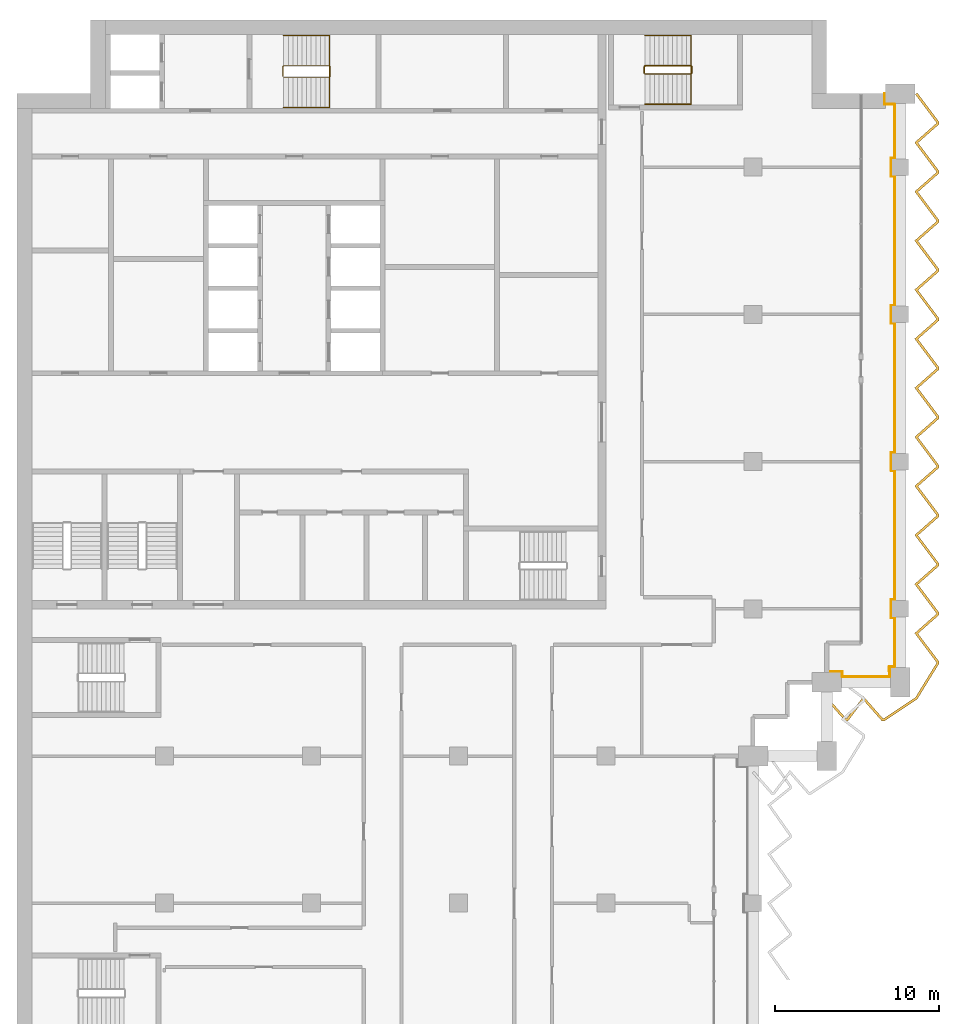
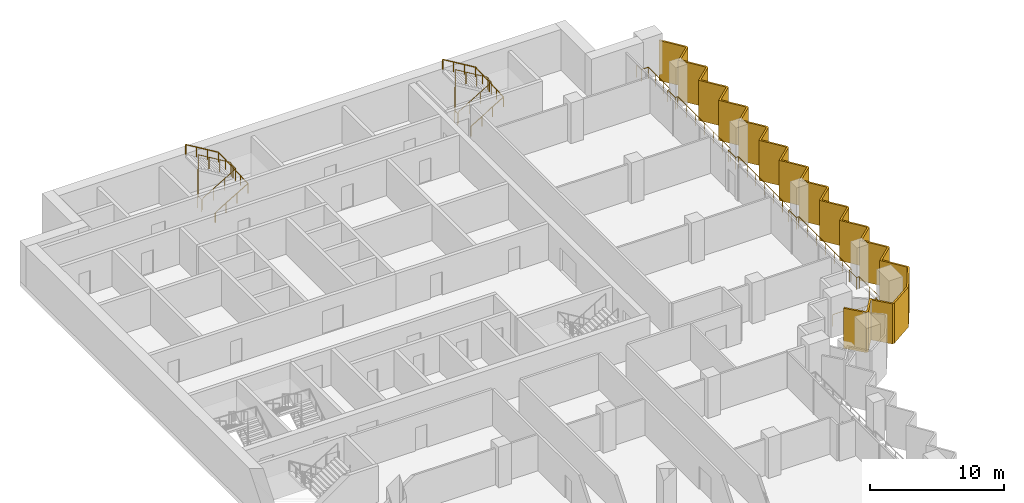
# One storey, part 17 of 17: 5 railings, 1 shading device.
"""IFC4 building model written with IfcOpenShell, lengths in metres."""

from ifc_helpers import new_model, si_unit, direction, frame, origin, origin_2d, place, context, subcontext, project, spatial, polyline, circle, outline, extrude, material, layer, layer_set, type_object, element, save


model = new_model("IFC4")

# Units and contexts
model_context = context("Model", 3, precision=1e-05, world=origin(), true_north=direction((0.0, 1.0)))
body_context = subcontext(model_context, "Body", "Model", "MODEL_VIEW")
ifc_project = project(units=[si_unit("LENGTHUNIT", "METRE"), si_unit("AREAUNIT", "SQUARE_METRE"), si_unit("VOLUMEUNIT", "CUBIC_METRE"), si_unit("PLANEANGLEUNIT", "RADIAN"), si_unit("MASSUNIT", "GRAM", prefix="KILO")], contexts=[model_context])

# Site, building, storey
site_placement = place(None, origin())
site = spatial("IfcSite", under=ifc_project, at=site_placement, CompositionType="ELEMENT")
building_placement = place(site_placement, origin())
building = spatial("IfcBuilding", under=site, at=building_placement, Name="Hunhe Ridgeline Campus", CompositionType="ELEMENT")
storey_placement = place(building_placement, frame((0.0, 0.0, 208.699951171875)))
storey = spatial("IfcBuildingStorey", under=building, at=storey_placement, Name="L53", CompositionType="ELEMENT", Elevation=208.699951171875)

# Railing
ifc_material_1 = material(Name="Steel Q355", Category="steel")
railing_type_1 = type_object("IfcRailingType", Name="Loggia guard 1100 Steel Q355", PredefinedType="GUARDRAIL", material=ifc_material_1)
railing_1_placement = place(storey_placement, frame((49.5, 59.169921875, 0.0)))
element("IfcRailing", 1, at=railing_1_placement, inside=storey, type_object=railing_type_1, Name="Loggia guard 2", PredefinedType="GUARDRAIL", context=body_context, shape_type="SweptSolid", body=[
    extrude(circle(Radius=0.02392578125, at=origin_2d()), frame((0.0, 0.0, 1.076171875), z_axis=(1.0, 0.0, 0.0), x_axis=(0.0, 1.0, 0.0)), (0.0, 0.0, 1.0), 0.949951171875),
    extrude(circle(Radius=0.02392578125, at=origin_2d()), frame((0.949951171875, 0.0, 1.076171875), z_axis=(0.0, -1.0, 0.0), x_axis=(1.0, 0.0, 0.0)), (0.0, 0.0, 1.0), 0.31982421875),
    extrude(circle(Radius=0.02392578125, at=origin_2d()), frame((0.949951171875, -0.31982421875, 1.076171875), z_axis=(1.0, 0.0, 0.0), x_axis=(0.0, 1.0, 0.0)), (0.0, 0.0, 1.0), 2.900146484375),
    extrude(circle(Radius=0.02392578125, at=origin_2d()), frame((3.85009765625, -0.31982421875, 1.076171875), z_axis=(0.0, 1.0, 0.0), x_axis=(-1.0, 0.0, 0.0)), (0.0, 0.0, 1.0), 0.619873046875),
    extrude(circle(Radius=0.02392578125, at=origin_2d()), frame((3.85009765625, 0.300048828125, 1.076171875), z_axis=(-0.066572895244, -0.99778156408, 0.0), x_axis=(0.99778156408, -0.066572895244, 0.0)), (0.0, 0.0, 1.0), 0.30078125),
    extrude(circle(Radius=0.02392578125, at=origin_2d()), frame((3.830078125, 0.0, 1.076171875), z_axis=(0.0, 1.0, 0.0), x_axis=(-1.0, 0.0, 0.0)), (0.0, 0.0, 1.0), 0.280029296875),
    extrude(circle(Radius=0.02392578125, at=origin_2d()), frame((3.830078125, 0.280029296875, 1.076171875), z_axis=(1.0, 0.0, 0.0), x_axis=(0.0, 1.0, 0.0)), (0.0, 0.0, 1.0), 0.31982421875),
    extrude(circle(Radius=0.02392578125, at=origin_2d()), frame((4.14990234375, 0.280029296875, 1.076171875), z_axis=(0.0, 1.0, 0.0), x_axis=(-1.0, 0.0, 0.0)), (0.0, 0.0, 1.0), 3.0),
    extrude(circle(Radius=0.02392578125, at=origin_2d()), frame((4.14990234375, 3.280029296875, 1.076171875), z_axis=(-1.0, 0.0, 0.0), x_axis=(0.0, -1.0, 0.0)), (0.0, 0.0, 1.0), 0.219970703125),
    extrude(circle(Radius=0.02392578125, at=origin_2d()), frame((3.929931640625, 3.280029296875, 1.076171875), z_axis=(0.0, 1.0, 0.0), x_axis=(-1.0, 0.0, 0.0)), (0.0, 0.0, 1.0), 1.10009765625),
    extrude(circle(Radius=0.02392578125, at=origin_2d()), frame((3.929931640625, 4.380126953125, 1.076171875), z_axis=(1.0, 0.0, 0.0), x_axis=(0.0, 1.0, 0.0)), (0.0, 0.0, 1.0), 0.219970703125),
    extrude(circle(Radius=0.02392578125, at=origin_2d()), frame((4.14990234375, 4.380126953125, 1.076171875), z_axis=(0.0, 1.0, 0.0), x_axis=(-1.0, 0.0, 0.0)), (0.0, 0.0, 1.0), 7.89990234375),
    extrude(circle(Radius=0.02392578125, at=origin_2d()), frame((4.14990234375, 12.280029296875, 1.076171875), z_axis=(-1.0, 0.0, 0.0), x_axis=(0.0, -1.0, 0.0)), (0.0, 0.0, 1.0), 0.219970703125),
    extrude(circle(Radius=0.02392578125, at=origin_2d()), frame((3.929931640625, 12.280029296875, 1.076171875), z_axis=(0.0, 1.0, 0.0), x_axis=(-1.0, 0.0, 0.0)), (0.0, 0.0, 1.0), 1.10009765625),
    extrude(circle(Radius=0.02392578125, at=origin_2d()), frame((3.929931640625, 13.380126953125, 1.076171875), z_axis=(1.0, 0.0, 0.0), x_axis=(0.0, 1.0, 0.0)), (0.0, 0.0, 1.0), 0.219970703125),
    extrude(circle(Radius=0.02392578125, at=origin_2d()), frame((4.14990234375, 13.380126953125, 1.076171875), z_axis=(0.0, 1.0, 0.0), x_axis=(-1.0, 0.0, 0.0)), (0.0, 0.0, 1.0), 7.89990234375),
    extrude(circle(Radius=0.02392578125, at=origin_2d()), frame((4.14990234375, 21.280029296875, 1.076171875), z_axis=(-1.0, 0.0, 0.0), x_axis=(0.0, -1.0, 0.0)), (0.0, 0.0, 1.0), 0.219970703125),
    extrude(circle(Radius=0.02392578125, at=origin_2d()), frame((3.929931640625, 21.280029296875, 1.076171875), z_axis=(0.0, 1.0, 0.0), x_axis=(-1.0, 0.0, 0.0)), (0.0, 0.0, 1.0), 1.10009765625),
    extrude(circle(Radius=0.02392578125, at=origin_2d()), frame((3.929931640625, 22.380126953125, 1.076171875), z_axis=(1.0, 0.0, 0.0), x_axis=(0.0, 1.0, 0.0)), (0.0, 0.0, 1.0), 0.219970703125),
    extrude(circle(Radius=0.02392578125, at=origin_2d()), frame((4.14990234375, 22.380126953125, 1.076171875), z_axis=(0.0, 1.0, 0.0), x_axis=(-1.0, 0.0, 0.0)), (0.0, 0.0, 1.0), 7.89990234375),
    extrude(circle(Radius=0.02392578125, at=origin_2d()), frame((4.14990234375, 30.280029296875, 1.076171875), z_axis=(-1.0, 0.0, 0.0), x_axis=(0.0, -1.0, 0.0)), (0.0, 0.0, 1.0), 0.219970703125),
    extrude(circle(Radius=0.02392578125, at=origin_2d()), frame((3.929931640625, 30.280029296875, 1.076171875), z_axis=(0.0, 1.0, 0.0), x_axis=(-1.0, 0.0, 0.0)), (0.0, 0.0, 1.0), 1.10009765625),
    extrude(circle(Radius=0.02392578125, at=origin_2d()), frame((3.929931640625, 31.380126953125, 1.076171875), z_axis=(1.0, 0.0, 0.0), x_axis=(0.0, 1.0, 0.0)), (0.0, 0.0, 1.0), 0.219970703125),
    extrude(circle(Radius=0.02392578125, at=origin_2d()), frame((4.14990234375, 31.380126953125, 1.076171875), z_axis=(0.0, 1.0, 0.0), x_axis=(-1.0, 0.0, 0.0)), (0.0, 0.0, 1.0), 3.300048828125),
    extrude(circle(Radius=0.02392578125, at=origin_2d()), frame((4.14990234375, 34.68017578125, 1.076171875), z_axis=(-1.0, 0.0, 0.0), x_axis=(0.0, -1.0, 0.0)), (0.0, 0.0, 1.0), 0.619873046875),
    extrude(circle(Radius=0.02392578125, at=origin_2d()), frame((3.530029296875, 34.68017578125, 1.076171875), z_axis=(0.0, 1.0, 0.0), x_axis=(-1.0, 0.0, 0.0)), (0.0, 0.0, 1.0), 0.64990234375),
    extrude(circle(Radius=0.02099609375, at=origin_2d()), origin(), (0.0, 0.0, 1.0), 1.052001953125),
    extrude(circle(Radius=0.02099609375, at=origin_2d()), frame((0.949951171875, 0.0, 0.0)), (0.0, 0.0, 1.0), 1.052001953125),
    extrude(circle(Radius=0.02099609375, at=origin_2d()), frame((0.949951171875, -0.31982421875, 0.0)), (0.0, 0.0, 1.0), 1.052001953125),
    extrude(circle(Radius=0.02099609375, at=origin_2d()), frame((2.39990234375, -0.31982421875, 0.0)), (0.0, 0.0, 1.0), 1.052001953125),
    extrude(circle(Radius=0.02099609375, at=origin_2d()), frame((3.85009765625, -0.31982421875, 0.0)), (0.0, 0.0, 1.0), 1.052001953125),
    extrude(circle(Radius=0.02099609375, at=origin_2d()), frame((3.85009765625, 0.300048828125, 0.0)), (0.0, 0.0, 1.0), 1.052001953125),
    extrude(circle(Radius=0.02099609375, at=origin_2d()), frame((3.830078125, 0.0, 0.0)), (0.0, 0.0, 1.0), 1.052001953125),
    extrude(circle(Radius=0.02099609375, at=origin_2d()), frame((3.830078125, 0.280029296875, 0.0)), (0.0, 0.0, 1.0), 1.052001953125),
    extrude(circle(Radius=0.02099609375, at=origin_2d()), frame((4.14990234375, 0.280029296875, 0.0)), (0.0, 0.0, 1.0), 1.052001953125),
    extrude(circle(Radius=0.02099609375, at=origin_2d()), frame((4.14990234375, 1.780029296875, 0.0)), (0.0, 0.0, 1.0), 1.052001953125),
    extrude(circle(Radius=0.02099609375, at=origin_2d()), frame((4.14990234375, 3.280029296875, 0.0)), (0.0, 0.0, 1.0), 1.052001953125),
    extrude(circle(Radius=0.02099609375, at=origin_2d()), frame((3.929931640625, 3.280029296875, 0.0)), (0.0, 0.0, 1.0), 1.052001953125),
    extrude(circle(Radius=0.02099609375, at=origin_2d()), frame((3.929931640625, 4.380126953125, 0.0)), (0.0, 0.0, 1.0), 1.052001953125),
    extrude(circle(Radius=0.02099609375, at=origin_2d()), frame((4.14990234375, 4.380126953125, 0.0)), (0.0, 0.0, 1.0), 1.052001953125),
    extrude(circle(Radius=0.02099609375, at=origin_2d()), frame((4.14990234375, 5.69677734375, 0.0)), (0.0, 0.0, 1.0), 1.052001953125),
    extrude(circle(Radius=0.02099609375, at=origin_2d()), frame((4.14990234375, 7.013427734375, 0.0)), (0.0, 0.0, 1.0), 1.052001953125),
    extrude(circle(Radius=0.02099609375, at=origin_2d()), frame((4.14990234375, 8.330078125, 0.0)), (0.0, 0.0, 1.0), 1.052001953125),
    extrude(circle(Radius=0.02099609375, at=origin_2d()), frame((4.14990234375, 9.646728515625, 0.0)), (0.0, 0.0, 1.0), 1.052001953125),
    extrude(circle(Radius=0.02099609375, at=origin_2d()), frame((4.14990234375, 10.96337890625, 0.0)), (0.0, 0.0, 1.0), 1.052001953125),
    extrude(circle(Radius=0.02099609375, at=origin_2d()), frame((4.14990234375, 12.280029296875, 0.0)), (0.0, 0.0, 1.0), 1.052001953125),
    extrude(circle(Radius=0.02099609375, at=origin_2d()), frame((3.929931640625, 12.280029296875, 0.0)), (0.0, 0.0, 1.0), 1.052001953125),
    extrude(circle(Radius=0.02099609375, at=origin_2d()), frame((3.929931640625, 13.380126953125, 0.0)), (0.0, 0.0, 1.0), 1.052001953125),
    extrude(circle(Radius=0.02099609375, at=origin_2d()), frame((4.14990234375, 13.380126953125, 0.0)), (0.0, 0.0, 1.0), 1.052001953125),
    extrude(circle(Radius=0.02099609375, at=origin_2d()), frame((4.14990234375, 14.69677734375, 0.0)), (0.0, 0.0, 1.0), 1.052001953125),
    extrude(circle(Radius=0.02099609375, at=origin_2d()), frame((4.14990234375, 16.013427734375, 0.0)), (0.0, 0.0, 1.0), 1.052001953125),
    extrude(circle(Radius=0.02099609375, at=origin_2d()), frame((4.14990234375, 17.330078125, 0.0)), (0.0, 0.0, 1.0), 1.052001953125),
    extrude(circle(Radius=0.02099609375, at=origin_2d()), frame((4.14990234375, 18.646728515625, 0.0)), (0.0, 0.0, 1.0), 1.052001953125),
    extrude(circle(Radius=0.02099609375, at=origin_2d()), frame((4.14990234375, 19.96337890625, 0.0)), (0.0, 0.0, 1.0), 1.052001953125),
    extrude(circle(Radius=0.02099609375, at=origin_2d()), frame((4.14990234375, 21.280029296875, 0.0)), (0.0, 0.0, 1.0), 1.052001953125),
    extrude(circle(Radius=0.02099609375, at=origin_2d()), frame((3.929931640625, 21.280029296875, 0.0)), (0.0, 0.0, 1.0), 1.052001953125),
    extrude(circle(Radius=0.02099609375, at=origin_2d()), frame((3.929931640625, 22.380126953125, 0.0)), (0.0, 0.0, 1.0), 1.052001953125),
    extrude(circle(Radius=0.02099609375, at=origin_2d()), frame((4.14990234375, 22.380126953125, 0.0)), (0.0, 0.0, 1.0), 1.052001953125),
    extrude(circle(Radius=0.02099609375, at=origin_2d()), frame((4.14990234375, 23.69677734375, 0.0)), (0.0, 0.0, 1.0), 1.052001953125),
    extrude(circle(Radius=0.02099609375, at=origin_2d()), frame((4.14990234375, 25.013427734375, 0.0)), (0.0, 0.0, 1.0), 1.052001953125),
    extrude(circle(Radius=0.02099609375, at=origin_2d()), frame((4.14990234375, 26.330078125, 0.0)), (0.0, 0.0, 1.0), 1.052001953125),
    extrude(circle(Radius=0.02099609375, at=origin_2d()), frame((4.14990234375, 27.646728515625, 0.0)), (0.0, 0.0, 1.0), 1.052001953125),
    extrude(circle(Radius=0.02099609375, at=origin_2d()), frame((4.14990234375, 28.96337890625, 0.0)), (0.0, 0.0, 1.0), 1.052001953125),
    extrude(circle(Radius=0.02099609375, at=origin_2d()), frame((4.14990234375, 30.280029296875, 0.0)), (0.0, 0.0, 1.0), 1.052001953125),
    extrude(circle(Radius=0.02099609375, at=origin_2d()), frame((3.929931640625, 30.280029296875, 0.0)), (0.0, 0.0, 1.0), 1.052001953125),
    extrude(circle(Radius=0.02099609375, at=origin_2d()), frame((3.929931640625, 31.380126953125, 0.0)), (0.0, 0.0, 1.0), 1.052001953125),
    extrude(circle(Radius=0.02099609375, at=origin_2d()), frame((4.14990234375, 31.380126953125, 0.0)), (0.0, 0.0, 1.0), 1.052001953125),
    extrude(circle(Radius=0.02099609375, at=origin_2d()), frame((4.14990234375, 32.480224609375, 0.0)), (0.0, 0.0, 1.0), 1.052001953125),
    extrude(circle(Radius=0.02099609375, at=origin_2d()), frame((4.14990234375, 33.580078125, 0.0)), (0.0, 0.0, 1.0), 1.052001953125),
    extrude(circle(Radius=0.02099609375, at=origin_2d()), frame((4.14990234375, 34.68017578125, 0.0)), (0.0, 0.0, 1.0), 1.052001953125),
    extrude(circle(Radius=0.02099609375, at=origin_2d()), frame((3.530029296875, 34.68017578125, 0.0)), (0.0, 0.0, 1.0), 1.052001953125),
    extrude(circle(Radius=0.02099609375, at=origin_2d()), frame((3.530029296875, 35.330078125, 0.0)), (0.0, 0.0, 1.0), 1.052001953125),
])

# Shading device
ifc_material_2 = material(Name="Concrete C50", Category="concrete")
ifc_layer = layer(ifc_material_2, 0.14990234375)
ifc_layer_set = layer_set([ifc_layer], Name="Sawtooth concrete fin 150 Concrete C50")
shading_device_type = type_object("IfcShadingDeviceType", Name="Sawtooth concrete fin 150 Concrete C50", PredefinedType="USERDEFINED", material=ifc_layer_set)
shading_device_placement = place(storey_placement, frame((0.0, 0.0, -0.949951171875)))
element("IfcShadingDevice", 2, at=shading_device_placement, inside=storey, type_object=shading_device_type, Name="Concrete fin screen 3", ObjectType="FIN", PredefinedType="USERDEFINED", context=body_context, shape_type="SweptSolid", body=[
    extrude(outline(polyline([(49.55615234375, 57.57470703125), (49.44384765625, 57.475341796875), (50.61328125, 56.14990234375), (50.804443359375, 56.14990234375), (51.75439453125, 57.406494140625), (52.86328125, 56.14990234375), (53.039794921875, 56.14990234375), (55.0302734375, 57.4716796875), (56.35009765625, 59.6259765625), (56.35009765625, 59.792236328125), (55.07666015625, 61.489501953125), (56.35009765625, 62.61328125), (56.35009765625, 62.792236328125), (55.07666015625, 64.489501953125), (56.35009765625, 65.61328125), (56.35009765625, 65.792236328125), (55.07666015625, 67.489501953125), (56.35009765625, 68.61328125), (56.35009765625, 68.792236328125), (55.07666015625, 70.489501953125), (56.35009765625, 71.61328125), (56.35009765625, 71.792236328125), (55.07666015625, 73.489501953125), (56.35009765625, 74.61328125), (56.35009765625, 74.792236328125), (55.07666015625, 76.489501953125), (56.35009765625, 77.61328125), (56.35009765625, 77.792236328125), (55.07666015625, 79.489501953125), (56.35009765625, 80.61328125), (56.35009765625, 80.792236328125), (55.07666015625, 82.489501953125), (56.35009765625, 83.61328125), (56.35009765625, 83.792236328125), (55.07666015625, 85.489501953125), (56.35009765625, 86.61328125), (56.35009765625, 86.792236328125), (55.07666015625, 88.489501953125), (56.35009765625, 89.61328125), (56.35009765625, 89.792236328125), (55.07666015625, 91.489501953125), (56.35009765625, 92.61328125), (56.35009765625, 92.792236328125), (55.034912109375, 94.544921875), (54.9150390625, 94.455078125), (56.199951171875, 92.7421875), (56.199951171875, 92.680908203125), (54.87353515625, 91.510498046875), (56.199951171875, 89.7421875), (56.199951171875, 89.680908203125), (54.87353515625, 88.510498046875), (56.199951171875, 86.7421875), (56.199951171875, 86.680908203125), (54.87353515625, 85.510498046875), (56.199951171875, 83.7421875), (56.199951171875, 83.680908203125), (54.87353515625, 82.510498046875), (56.199951171875, 80.7421875), (56.199951171875, 80.680908203125), (54.87353515625, 79.510498046875), (56.199951171875, 77.7421875), (56.199951171875, 77.680908203125), (54.87353515625, 76.510498046875), (56.199951171875, 74.7421875), (56.199951171875, 74.680908203125), (54.87353515625, 73.510498046875), (56.199951171875, 71.7421875), (56.199951171875, 71.680908203125), (54.87353515625, 70.510498046875), (56.199951171875, 68.7421875), (56.199951171875, 68.680908203125), (54.87353515625, 67.510498046875), (56.199951171875, 65.7421875), (56.199951171875, 65.680908203125), (54.87353515625, 64.510498046875), (56.199951171875, 62.7421875), (56.199951171875, 62.680908203125), (54.87353515625, 61.510498046875), (56.199951171875, 59.7421875), (56.199951171875, 59.668212890625), (54.919677734375, 57.578369140625), (52.994384765625, 56.300048828125), (52.930908203125, 56.300048828125), (51.74560546875, 57.6435546875), (50.729736328125, 56.300048828125), (50.680908203125, 56.300048828125), (49.55615234375, 57.57470703125)])), origin(), (0.0, 0.0, 1.0), 3.64990234375),
])

# Railings
ifc_material_3 = material(Name="Stainless steel balustrade", Category="steel")
railing_type_2 = type_object("IfcRailingType", Name="Stair guard 1100 stainless", PredefinedType="GUARDRAIL", material=ifc_material_3)
railing_2_placement = place(storey_placement, frame((16.300048828125, 95.5, 0.168212890625)))
element("IfcRailing", 3, at=railing_2_placement, inside=storey, type_object=railing_type_2, Name="L53 stair S1 guard", PredefinedType="GUARDRAIL", context=body_context, shape_type="SweptSolid", body=[
    extrude(circle(Radius=0.02392578125, at=origin_2d()), frame((0.0, 0.0, 1.076171875), z_axis=(0.857242210791, 0.0, 0.514913383045), x_axis=(0.0, 1.0, 0.0)), (0.0, 0.0, 1.0), 3.266357421875),
    extrude(circle(Radius=0.02392578125, at=origin_2d()), frame((2.800048828125, 0.0, 2.7578125), z_axis=(0.705375805398, 0.708833529934, 0.0), x_axis=(-0.708833529934, 0.705375805398, 0.0)), (0.0, 0.0, 1.0), 0.070556640625),
    extrude(circle(Radius=0.02392578125, at=origin_2d()), frame((2.849853515625, 0.050048828125, 2.7578125), z_axis=(0.0, 1.0, 0.0), x_axis=(-1.0, 0.0, 0.0)), (0.0, 0.0, 1.0), 0.599853515625),
    extrude(circle(Radius=0.02392578125, at=origin_2d()), frame((2.849853515625, 0.64990234375, 2.7578125), z_axis=(-0.273006030465, 0.27434429532, 0.922064485248), x_axis=(-0.708833529934, -0.705375805398, 0.0)), (0.0, 0.0, 1.0), 0.182373046875),
    extrude(circle(Radius=0.02392578125, at=origin_2d()), frame((2.800048828125, 0.699951171875, 2.92626953125), z_axis=(-0.857275202839, 0.0, 0.514858452973), x_axis=(0.0, -1.0, 0.0)), (0.0, 0.0, 1.0), 3.26611328125),
    extrude(circle(Radius=0.02392578125, at=origin_2d()), frame((0.0, 0.699951171875, 4.60791015625), z_axis=(-0.013524414389, -0.013524414389, -0.999817073484), x_axis=(0.707106781187, -0.707106781187, 0.0)), (0.0, 0.0, 1.0), 3.70068359375),
    extrude(circle(Radius=0.02392578125, at=origin_2d()), frame((-0.050048828125, 0.64990234375, 0.90771484375), z_axis=(0.0, -1.0, 0.0), x_axis=(1.0, 0.0, 0.0)), (0.0, 0.0, 1.0), 0.599853515625),
    extrude(circle(Radius=0.02099609375, at=origin_2d()), origin(), (0.0, 0.0, 1.0), 1.052001953125),
    extrude(circle(Radius=0.02099609375, at=origin_2d()), frame((0.933349609375, 0.0, 0.560546875)), (0.0, 0.0, 1.0), 1.052001953125),
    extrude(circle(Radius=0.02099609375, at=origin_2d()), frame((1.86669921875, 0.0, 1.121337890625)), (0.0, 0.0, 1.0), 1.052001953125),
    extrude(circle(Radius=0.02099609375, at=origin_2d()), frame((2.800048828125, 0.0, 1.681884765625)), (0.0, 0.0, 1.0), 1.052001953125),
    extrude(circle(Radius=0.02099609375, at=origin_2d()), frame((2.849853515625, 0.050048828125, 1.681884765625)), (0.0, 0.0, 1.0), 1.052001953125),
    extrude(circle(Radius=0.02099609375, at=origin_2d()), frame((2.849853515625, 0.64990234375, 1.681884765625)), (0.0, 0.0, 1.0), 1.052001953125),
    extrude(circle(Radius=0.02099609375, at=origin_2d()), frame((2.800048828125, 0.699951171875, 1.85009765625)), (0.0, 0.0, 1.0), 1.052001953125),
    extrude(circle(Radius=0.02099609375, at=origin_2d()), frame((1.86669921875, 0.699951171875, 2.41064453125)), (0.0, 0.0, 1.0), 1.052001953125),
    extrude(circle(Radius=0.02099609375, at=origin_2d()), frame((0.933349609375, 0.699951171875, 2.97119140625)), (0.0, 0.0, 1.0), 1.052001953125),
    extrude(circle(Radius=0.02099609375, at=origin_2d()), frame((0.0, 0.699951171875, 3.53173828125)), (0.0, 0.0, 1.0), 1.052001953125),
    extrude(circle(Radius=0.02099609375, at=origin_2d()), frame((-0.012451171875, 0.6875, 2.606689453125)), (0.0, 0.0, 1.0), 1.052001953125),
    extrude(circle(Radius=0.02099609375, at=origin_2d()), frame((-0.02490234375, 0.6748046875, 1.681640625)), (0.0, 0.0, 1.0), 1.052001953125),
    extrude(circle(Radius=0.02099609375, at=origin_2d()), frame((-0.03759765625, 0.662353515625, 0.7568359375)), (0.0, 0.0, 1.0), 1.052001953125),
    extrude(circle(Radius=0.02099609375, at=origin_2d()), frame((-0.050048828125, 0.64990234375, -0.168212890625)), (0.0, 0.0, 1.0), 1.052001953125),
    extrude(circle(Radius=0.02099609375, at=origin_2d()), frame((-0.050048828125, 0.050048828125, -0.168212890625)), (0.0, 0.0, 1.0), 1.052001953125),
])
railing_3_placement = place(storey_placement, frame((38.39990234375, 95.699951171875, 0.168212890625)))
element("IfcRailing", 4, at=railing_3_placement, inside=storey, type_object=railing_type_2, Name="L53 stair E1 guard", PredefinedType="GUARDRAIL", context=body_context, shape_type="SweptSolid", body=[
    extrude(circle(Radius=0.02392578125, at=origin_2d()), frame((0.0, 0.0, 1.076171875), z_axis=(0.857242210791, 0.0, 0.514913383045), x_axis=(0.0, 1.0, 0.0)), (0.0, 0.0, 1.0), 3.266357421875),
    extrude(circle(Radius=0.02392578125, at=origin_2d()), frame((2.800048828125, 0.0, 2.7578125), z_axis=(0.707106781187, 0.707106781187, 0.0), x_axis=(-0.707106781187, 0.707106781187, 0.0)), (0.0, 0.0, 1.0), 0.07080078125),
    extrude(circle(Radius=0.02392578125, at=origin_2d()), frame((2.85009765625, 0.050048828125, 2.7578125), z_axis=(0.0, 1.0, 0.0), x_axis=(-1.0, 0.0, 0.0)), (0.0, 0.0, 1.0), 0.39990234375),
    extrude(circle(Radius=0.02392578125, at=origin_2d()), frame((2.85009765625, 0.449951171875, 2.7578125), z_axis=(-0.274243871929, 0.274243871929, 0.92172696468), x_axis=(-0.707106781187, -0.707106781187, 0.0)), (0.0, 0.0, 1.0), 0.1826171875),
    extrude(circle(Radius=0.02392578125, at=origin_2d()), frame((2.800048828125, 0.5, 2.92626953125), z_axis=(-0.857275202839, 0.0, 0.514858452973), x_axis=(0.0, -1.0, 0.0)), (0.0, 0.0, 1.0), 3.26611328125),
    extrude(circle(Radius=0.02392578125, at=origin_2d()), frame((0.0, 0.5, 4.60791015625), z_axis=(-0.013458453615, -0.013524426427, -0.999817963389), x_axis=(0.708833529934, -0.705375805398, 0.0)), (0.0, 0.0, 1.0), 3.70068359375),
    extrude(circle(Radius=0.02392578125, at=origin_2d()), frame((-0.0498046875, 0.449951171875, 0.90771484375), z_axis=(0.0, -1.0, 0.0), x_axis=(1.0, 0.0, 0.0)), (0.0, 0.0, 1.0), 0.39990234375),
    extrude(circle(Radius=0.02099609375, at=origin_2d()), origin(), (0.0, 0.0, 1.0), 1.052001953125),
    extrude(circle(Radius=0.02099609375, at=origin_2d()), frame((0.933349609375, 0.0, 0.560546875)), (0.0, 0.0, 1.0), 1.052001953125),
    extrude(circle(Radius=0.02099609375, at=origin_2d()), frame((1.86669921875, 0.0, 1.121337890625)), (0.0, 0.0, 1.0), 1.052001953125),
    extrude(circle(Radius=0.02099609375, at=origin_2d()), frame((2.800048828125, 0.0, 1.681884765625)), (0.0, 0.0, 1.0), 1.052001953125),
    extrude(circle(Radius=0.02099609375, at=origin_2d()), frame((2.85009765625, 0.050048828125, 1.681884765625)), (0.0, 0.0, 1.0), 1.052001953125),
    extrude(circle(Radius=0.02099609375, at=origin_2d()), frame((2.85009765625, 0.449951171875, 1.681884765625)), (0.0, 0.0, 1.0), 1.052001953125),
    extrude(circle(Radius=0.02099609375, at=origin_2d()), frame((2.800048828125, 0.5, 1.85009765625)), (0.0, 0.0, 1.0), 1.052001953125),
    extrude(circle(Radius=0.02099609375, at=origin_2d()), frame((1.86669921875, 0.5, 2.41064453125)), (0.0, 0.0, 1.0), 1.052001953125),
    extrude(circle(Radius=0.02099609375, at=origin_2d()), frame((0.933349609375, 0.5, 2.97119140625)), (0.0, 0.0, 1.0), 1.052001953125),
    extrude(circle(Radius=0.02099609375, at=origin_2d()), frame((0.0, 0.5, 3.53173828125)), (0.0, 0.0, 1.0), 1.052001953125),
    extrude(circle(Radius=0.02099609375, at=origin_2d()), frame((-0.012451171875, 0.487548828125, 2.606689453125)), (0.0, 0.0, 1.0), 1.052001953125),
    extrude(circle(Radius=0.02099609375, at=origin_2d()), frame((-0.02490234375, 0.47509765625, 1.681640625)), (0.0, 0.0, 1.0), 1.052001953125),
    extrude(circle(Radius=0.02099609375, at=origin_2d()), frame((-0.037353515625, 0.46240234375, 0.7568359375)), (0.0, 0.0, 1.0), 1.052001953125),
    extrude(circle(Radius=0.02099609375, at=origin_2d()), frame((-0.0498046875, 0.449951171875, -0.168212890625)), (0.0, 0.0, 1.0), 1.052001953125),
    extrude(circle(Radius=0.02099609375, at=origin_2d()), frame((-0.0498046875, 0.050048828125, -0.168212890625)), (0.0, 0.0, 1.0), 1.052001953125),
])
ifc_material_4 = material(Name="Stainless steel handrail", Category="steel")
railing_type_3 = type_object("IfcRailingType", Name="Stair handrail 900 stainless", PredefinedType="HANDRAIL", material=ifc_material_4)
railing_4_placement = place(storey_placement, frame((16.300048828125, 93.64990234375, 0.168212890625)))
element("IfcRailing", 5, at=railing_4_placement, inside=storey, type_object=railing_type_3, Name="L53 stair S1 handrail", PredefinedType="HANDRAIL", context=body_context, shape_type="SweptSolid", body=[
    extrude(circle(Radius=0.02392578125, at=origin_2d()), frame((0.0, 0.0, 0.8759765625), z_axis=(0.857242210791, 0.0, 0.514913383045), x_axis=(0.0, 1.0, 0.0)), (0.0, 0.0, 1.0), 3.266357421875),
    extrude(circle(Radius=0.02392578125, at=origin_2d()), frame((2.800048828125, 0.0, 2.5576171875), z_axis=(0.0, 0.999270074432, 0.038201025428), x_axis=(-1.0, 0.0, 0.0)), (0.0, 0.0, 1.0), 4.4033203125),
    extrude(circle(Radius=0.02392578125, at=origin_2d()), frame((2.800048828125, 4.400146484375, 2.72607421875), z_axis=(-0.857275202839, 0.0, 0.514858452973), x_axis=(0.0, -1.0, 0.0)), (0.0, 0.0, 1.0), 3.26611328125),
    extrude(circle(Radius=0.02099609375, at=origin_2d()), origin(), (0.0, 0.0, 1.0), 0.851806640625),
    extrude(circle(Radius=0.02099609375, at=origin_2d()), frame((0.933349609375, 0.0, 0.560546875)), (0.0, 0.0, 1.0), 0.851806640625),
    extrude(circle(Radius=0.02099609375, at=origin_2d()), frame((1.86669921875, 0.0, 1.121337890625)), (0.0, 0.0, 1.0), 0.851806640625),
    extrude(circle(Radius=0.02099609375, at=origin_2d()), frame((2.800048828125, 0.0, 1.681884765625)), (0.0, 0.0, 1.0), 0.851806640625),
    extrude(circle(Radius=0.02099609375, at=origin_2d()), frame((2.800048828125, 1.10009765625, 1.723876953125)), (0.0, 0.0, 1.0), 0.851806640625),
    extrude(circle(Radius=0.02099609375, at=origin_2d()), frame((2.800048828125, 2.2001953125, 1.76611328125)), (0.0, 0.0, 1.0), 0.851806640625),
    extrude(circle(Radius=0.02099609375, at=origin_2d()), frame((2.800048828125, 3.300048828125, 1.80810546875)), (0.0, 0.0, 1.0), 0.851806640625),
    extrude(circle(Radius=0.02099609375, at=origin_2d()), frame((2.800048828125, 4.400146484375, 1.85009765625)), (0.0, 0.0, 1.0), 0.851806640625),
    extrude(circle(Radius=0.02099609375, at=origin_2d()), frame((1.86669921875, 4.400146484375, 2.41064453125)), (0.0, 0.0, 1.0), 0.851806640625),
    extrude(circle(Radius=0.02099609375, at=origin_2d()), frame((0.933349609375, 4.400146484375, 2.97119140625)), (0.0, 0.0, 1.0), 0.851806640625),
    extrude(circle(Radius=0.02099609375, at=origin_2d()), frame((0.0, 4.400146484375, 3.53173828125)), (0.0, 0.0, 1.0), 0.851806640625),
])
railing_5_placement = place(storey_placement, frame((38.39990234375, 93.85009765625, 0.168212890625)))
element("IfcRailing", 6, at=railing_5_placement, inside=storey, type_object=railing_type_3, Name="L53 stair E1 handrail", PredefinedType="HANDRAIL", context=body_context, shape_type="SweptSolid", body=[
    extrude(circle(Radius=0.02392578125, at=origin_2d()), frame((0.0, 0.0, 0.8759765625), z_axis=(0.857242210791, 0.0, 0.514913383045), x_axis=(0.0, 1.0, 0.0)), (0.0, 0.0, 1.0), 3.266357421875),
    extrude(circle(Radius=0.02392578125, at=origin_2d()), frame((2.800048828125, 0.0, 2.5576171875), z_axis=(0.0, 0.999198916169, 0.040019069537), x_axis=(-1.0, 0.0, 0.0)), (0.0, 0.0, 1.0), 4.203369140625),
    extrude(circle(Radius=0.02392578125, at=origin_2d()), frame((2.800048828125, 4.199951171875, 2.72607421875), z_axis=(-0.857275202839, 0.0, 0.514858452973), x_axis=(0.0, -1.0, 0.0)), (0.0, 0.0, 1.0), 3.26611328125),
    extrude(circle(Radius=0.02099609375, at=origin_2d()), origin(), (0.0, 0.0, 1.0), 0.851806640625),
    extrude(circle(Radius=0.02099609375, at=origin_2d()), frame((0.933349609375, 0.0, 0.560546875)), (0.0, 0.0, 1.0), 0.851806640625),
    extrude(circle(Radius=0.02099609375, at=origin_2d()), frame((1.86669921875, 0.0, 1.121337890625)), (0.0, 0.0, 1.0), 0.851806640625),
    extrude(circle(Radius=0.02099609375, at=origin_2d()), frame((2.800048828125, 0.0, 1.681884765625)), (0.0, 0.0, 1.0), 0.851806640625),
    extrude(circle(Radius=0.02099609375, at=origin_2d()), frame((2.800048828125, 1.050048828125, 1.723876953125)), (0.0, 0.0, 1.0), 0.851806640625),
    extrude(circle(Radius=0.02099609375, at=origin_2d()), frame((2.800048828125, 2.10009765625, 1.76611328125)), (0.0, 0.0, 1.0), 0.851806640625),
    extrude(circle(Radius=0.02099609375, at=origin_2d()), frame((2.800048828125, 3.14990234375, 1.80810546875)), (0.0, 0.0, 1.0), 0.851806640625),
    extrude(circle(Radius=0.02099609375, at=origin_2d()), frame((2.800048828125, 4.199951171875, 1.85009765625)), (0.0, 0.0, 1.0), 0.851806640625),
    extrude(circle(Radius=0.02099609375, at=origin_2d()), frame((1.86669921875, 4.199951171875, 2.41064453125)), (0.0, 0.0, 1.0), 0.851806640625),
    extrude(circle(Radius=0.02099609375, at=origin_2d()), frame((0.933349609375, 4.199951171875, 2.97119140625)), (0.0, 0.0, 1.0), 0.851806640625),
    extrude(circle(Radius=0.02099609375, at=origin_2d()), frame((0.0, 4.199951171875, 3.53173828125)), (0.0, 0.0, 1.0), 0.851806640625),
])

save(model, "model.ifc")
